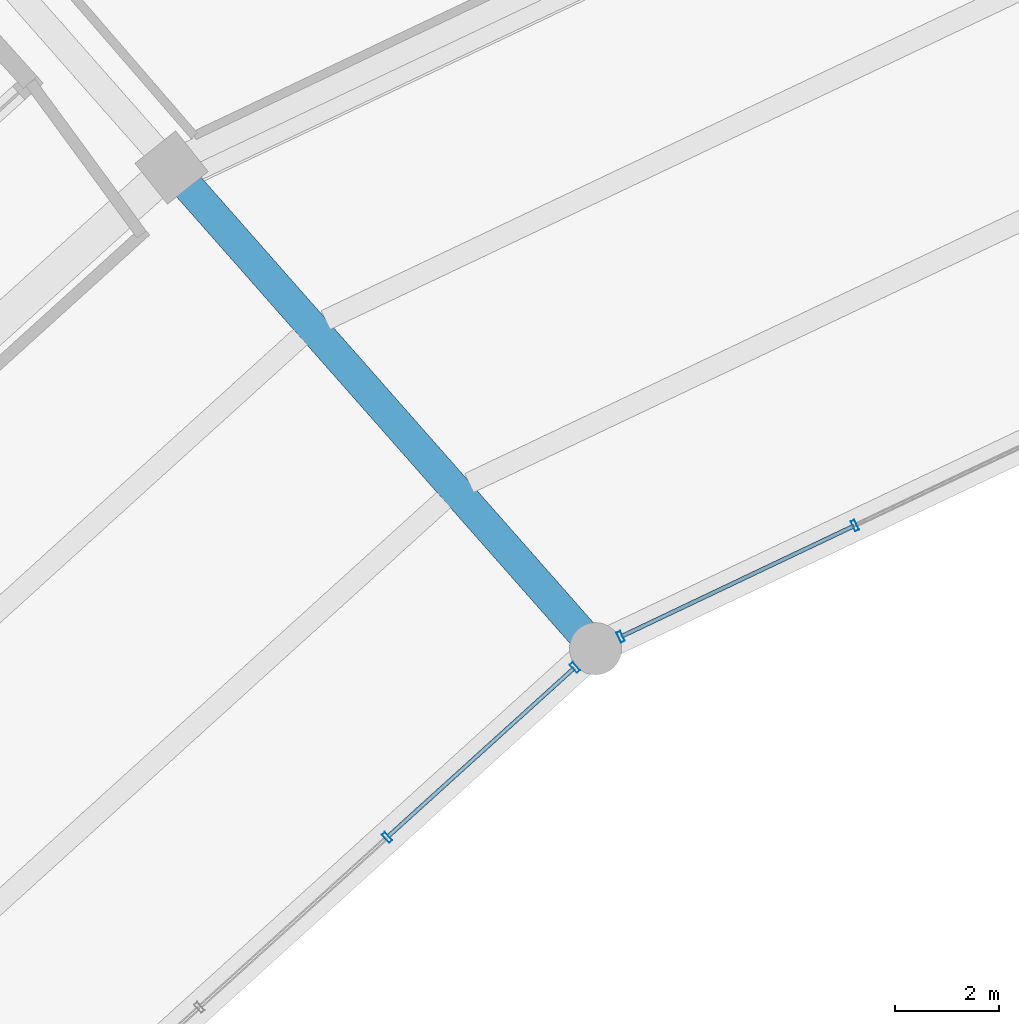
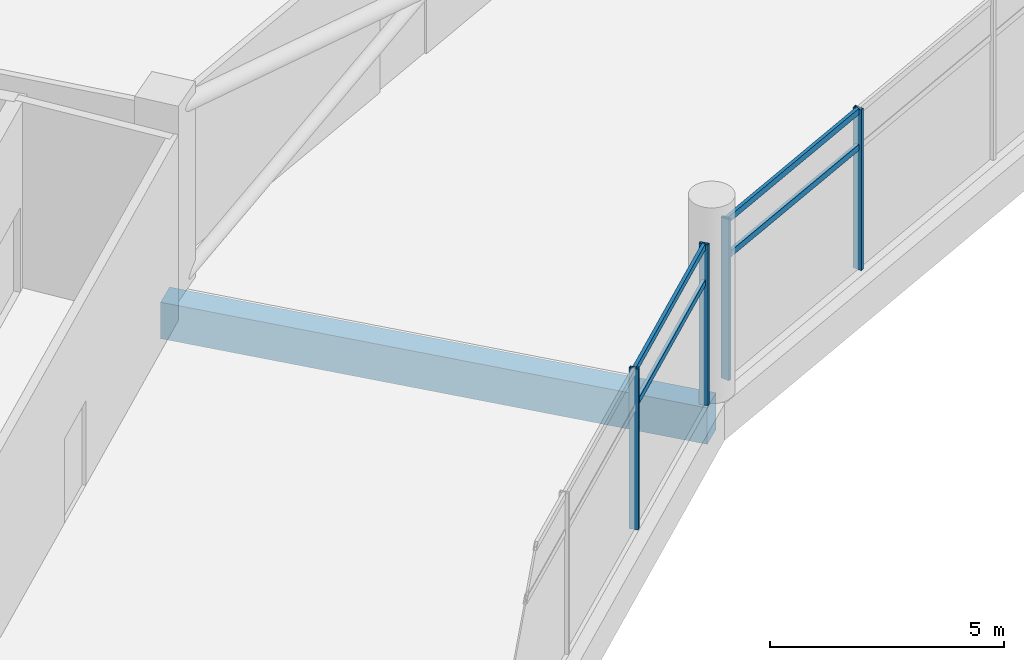
# One storey, part 98 of 184: 8 members, 1 beam, 2 elements without a shape of their own.
"""IFC4 building model written with IfcOpenShell, lengths in metres."""

from ifc_helpers import new_model, si_unit, direction, frame, origin, origin_2d, place, context, subcontext, project, spatial, rectangle, hollow_rectangle, extrude, material, layer, layer_set, material_profile, profile_set, type_object, element, aggregate, save


model = new_model("IFC4")

# Units and contexts
model_context = context("Model", 3, precision=1e-05, world=origin(), true_north=direction((0.0, 1.0)))
body_context = subcontext(model_context, "Body", "Model", "MODEL_VIEW")
ifc_project = project(units=[si_unit("LENGTHUNIT", "METRE"), si_unit("AREAUNIT", "SQUARE_METRE"), si_unit("VOLUMEUNIT", "CUBIC_METRE"), si_unit("PLANEANGLEUNIT", "RADIAN"), si_unit("MASSUNIT", "GRAM", prefix="KILO")], contexts=[model_context])

# Site, building, storey
site_placement = place(None, origin())
site = spatial("IfcSite", under=ifc_project, at=site_placement, CompositionType="ELEMENT")
building_placement = place(site_placement, origin())
building = spatial("IfcBuilding", under=site, at=building_placement, Name="Kazemori Nagisa Stadium", CompositionType="ELEMENT")
storey_placement = place(building_placement, frame((0.0, 0.0, 10.5400390625)))
storey = spatial("IfcBuildingStorey", under=building, at=storey_placement, Name="L02", CompositionType="ELEMENT", Elevation=10.5400390625)

# Beam
ifc_material_1 = material(Name="Concrete C40/50 (Fc42)", Category="concrete")
ifc_material_profile_1 = material_profile(ifc_material_1, rectangle(XDim=0.60009765625, YDim=0.949951171875, at=origin_2d()), Name="RC-BM-600x950")
ifc_profile_set_1 = profile_set([ifc_material_profile_1], Name="Concrete C40/50 (Fc42)")
beam_type = type_object("IfcBeamType", Name="Beam_BG-RC600X950", PredefinedType="BEAM", material=ifc_profile_set_1)
beam_placement = place(storey_placement, frame((77.303466796875, 153.873046875, -0.735107421875), z_axis=(-0.66101406015, 0.75037351518, 0.0), x_axis=(-0.75037351518, -0.66101406015, 0.0)))
element("IfcBeam", 1, at=beam_placement, inside=storey, type_object=beam_type, Name="Radial girder BG-RC600X950 L02 R1-R2-11", PredefinedType="BEAM", context=body_context, shape_type="SweptSolid", body=[
    extrude(rectangle(XDim=0.60009765625, YDim=0.949951171875, at=origin_2d()), origin(), (0.0, 0.0, 1.0), 12.31103515625),
])

# Curtain wall, members
ifc_material_2 = material(Name="Anodised aluminium 6063-T5", Category="aluminium")
ifc_layer_1 = layer(ifc_material_2, 0.2099609375, Name="Anodised aluminium 6063-T5", Category="aluminium")
ifc_layer_set_1 = layer_set([ifc_layer_1], Name="Anodised aluminium 6063-T5")
curtain_wall_type_1 = type_object("IfcCurtainWallType", Name="CW_L02B_75", PredefinedType="USERDEFINED", material=ifc_layer_set_1)
curtain_wall_1_placement = place(storey_placement, origin())
curtain_wall_1 = element("IfcCurtainWall", 2, at=curtain_wall_1_placement, inside=storey, type_object=curtain_wall_type_1, Name="Unitised curtain wall CW-L02B-75 L02", ObjectType="UNITISED CURTAIN WALL", PredefinedType="USERDEFINED")
ifc_material_3 = material(Name="Aluminium 6063-T5 anodised", Category="aluminium")
ifc_material_profile_2 = material_profile(ifc_material_3, hollow_rectangle(XDim=0.080078125, YDim=0.2099609375, WallThickness=0.0048828125, at=origin_2d()), Name="ALU-MULL-80x210x5")
ifc_profile_set_2 = profile_set([ifc_material_profile_2], Name="Aluminium 6063-T5 anodised")
member_type_1 = type_object("IfcMemberType", Name="Mullion_M02", PredefinedType="MULLION", material=ifc_profile_set_2)
member_1_placement = place(storey_placement, frame((82.281005859375, 156.23828125, 0.0), z_axis=(0.0, 0.0, 1.0), x_axis=(-0.903215892654, -0.429186499388, 0.0)))
member_1 = element("IfcMember", 3, at=member_1_placement, type_object=member_type_1, Name="Curtain wall mullion CW-L02B-75-M3", PredefinedType="MULLION", context=body_context, shape_type="SweptSolid", body=[
    extrude(hollow_rectangle(XDim=0.080078125, YDim=0.2099609375, WallThickness=0.0048828125, at=origin_2d()), origin(), (0.0, 0.0, 1.0), 4.18994140625),
])
member_2_placement = place(storey_placement, frame((77.78662109375, 154.102783203125, 0.0), z_axis=(0.0, 0.0, 1.0), x_axis=(-0.903215892654, -0.429186499388, 0.0)))
member_2 = element("IfcMember", 4, at=member_2_placement, type_object=member_type_1, Name="Curtain wall mullion CW-L02B-75-M4", PredefinedType="MULLION", context=body_context, shape_type="SweptSolid", body=[
    extrude(hollow_rectangle(XDim=0.080078125, YDim=0.2099609375, WallThickness=0.0048828125, at=origin_2d()), origin(), (0.0, 0.0, 1.0), 4.18994140625),
])

ifc_layer_2 = layer(ifc_material_2, 0.2099609375, Name="Anodised aluminium 6063-T5", Category="aluminium")
ifc_layer_set_2 = layer_set([ifc_layer_2], Name="Anodised aluminium 6063-T5")
curtain_wall_type_2 = type_object("IfcCurtainWallType", Name="CW_L02B_73", PredefinedType="USERDEFINED", material=ifc_layer_set_2)
curtain_wall_2_placement = place(storey_placement, origin())
curtain_wall_2 = element("IfcCurtainWall", 5, at=curtain_wall_2_placement, inside=storey, type_object=curtain_wall_type_2, Name="Unitised curtain wall CW-L02B-73 L02", ObjectType="UNITISED CURTAIN WALL", PredefinedType="USERDEFINED")
member_3_placement = place(storey_placement, frame((76.90673828125, 153.513916015625, 0.0), z_axis=(0.0, 0.0, 1.0), x_axis=(-0.741350875443, -0.671117634607, 0.0)))
member_3 = element("IfcMember", 6, at=member_3_placement, type_object=member_type_1, Name="Curtain wall mullion CW-L02B-73-M1", PredefinedType="MULLION", context=body_context, shape_type="SweptSolid", body=[
    extrude(hollow_rectangle(XDim=0.080078125, YDim=0.2099609375, WallThickness=0.0048828125, at=origin_2d()), origin(), (0.0, 0.0, 1.0), 4.18994140625),
])
member_4_placement = place(storey_placement, frame((73.302978515625, 150.25146484375, 0.0), z_axis=(0.0, 0.0, 1.0), x_axis=(-0.741350875443, -0.671117634607, 0.0)))
member_4 = element("IfcMember", 7, at=member_4_placement, type_object=member_type_1, Name="Curtain wall mullion CW-L02B-73-M2", PredefinedType="MULLION", context=body_context, shape_type="SweptSolid", body=[
    extrude(hollow_rectangle(XDim=0.080078125, YDim=0.2099609375, WallThickness=0.0048828125, at=origin_2d()), origin(), (0.0, 0.0, 1.0), 4.18994140625),
])

# Member
ifc_material_profile_3 = material_profile(ifc_material_3, hollow_rectangle(XDim=0.080078125, YDim=0.159912109375, WallThickness=0.00390625, at=origin_2d()), Name="ALU-TRAN-80x160x4")
ifc_profile_set_3 = profile_set([ifc_material_profile_3], Name="Aluminium 6063-T5 anodised")
member_type_2 = type_object("IfcMemberType", Name="Transom_T02", PredefinedType="USERDEFINED", material=ifc_profile_set_3)
member_5_placement = place(storey_placement, frame((82.262939453125, 156.229736328125, 3.184326171875), z_axis=(-0.903219509173, -0.429178888401, 0.0), x_axis=(0.429178888401, -0.903219509173, 0.0)))
member_5 = element("IfcMember", 8, at=member_5_placement, type_object=member_type_2, Name="Curtain wall transom CW-L02B-75-T3-mid", ObjectType="TRANSOM", PredefinedType="USERDEFINED", context=body_context, shape_type="SweptSolid", body=[
    extrude(hollow_rectangle(XDim=0.080078125, YDim=0.159912109375, WallThickness=0.00390625, at=origin_2d()), origin(), (0.0, 0.0, 1.0), 4.93603515625),
])

member_6_placement = place(storey_placement, frame((82.262939453125, 156.229736328125, 4.119873046875), z_axis=(-0.903219509173, -0.429178888401, 0.0), x_axis=(0.429178888401, -0.903219509173, 0.0)))
member_6 = element("IfcMember", 9, at=member_6_placement, type_object=member_type_2, Name="Curtain wall transom CW-L02B-75-T3-head", ObjectType="TRANSOM", PredefinedType="USERDEFINED", context=body_context, shape_type="SweptSolid", body=[
    extrude(hollow_rectangle(XDim=0.080078125, YDim=0.159912109375, WallThickness=0.00390625, at=origin_2d()), origin(), (0.0, 0.0, 1.0), 4.93603515625),
])

aggregate(curtain_wall_1, [member_1, member_2, member_5, member_6])

member_7_placement = place(storey_placement, frame((76.89208984375, 153.50048828125, 3.184326171875), z_axis=(-0.741375007746, -0.671090975866, 0.0), x_axis=(0.671090975866, -0.741375007746, 0.0)))
member_7 = element("IfcMember", 10, at=member_7_placement, type_object=member_type_2, Name="Curtain wall transom CW-L02B-73-T1-mid", ObjectType="TRANSOM", PredefinedType="USERDEFINED", context=body_context, shape_type="SweptSolid", body=[
    extrude(hollow_rectangle(XDim=0.080078125, YDim=0.159912109375, WallThickness=0.00390625, at=origin_2d()), origin(), (0.0, 0.0, 1.0), 4.8212890625),
])

member_8_placement = place(storey_placement, frame((76.89208984375, 153.50048828125, 4.119873046875), z_axis=(-0.741375007746, -0.671090975866, 0.0), x_axis=(0.671090975866, -0.741375007746, 0.0)))
member_8 = element("IfcMember", 11, at=member_8_placement, type_object=member_type_2, Name="Curtain wall transom CW-L02B-73-T1-head", ObjectType="TRANSOM", PredefinedType="USERDEFINED", context=body_context, shape_type="SweptSolid", body=[
    extrude(hollow_rectangle(XDim=0.080078125, YDim=0.159912109375, WallThickness=0.00390625, at=origin_2d()), origin(), (0.0, 0.0, 1.0), 4.8212890625),
])

aggregate(curtain_wall_2, [member_3, member_4, member_7, member_8])

save(model, "model.ifc")
